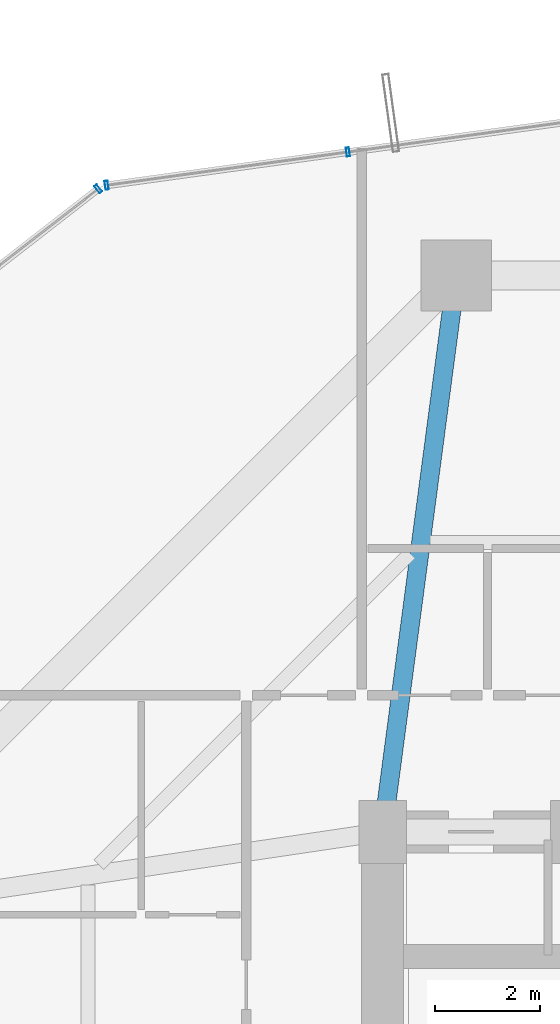
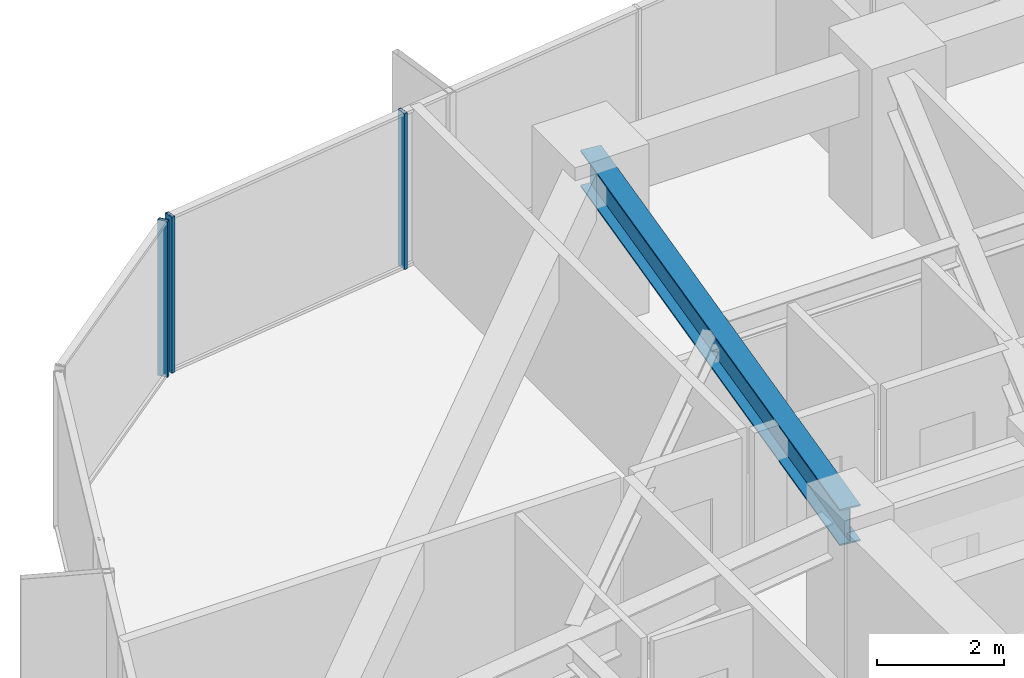
# One storey, part 23 of 37: 3 members, 1 beam, 2 elements without a shape of their own.
"""IFC4 building model written with IfcOpenShell, lengths in metres."""

import ifcopenshell
import ifcopenshell.guid

model = None  # the IFC model being written
_history = None  # IfcOwnerHistory: only IFC2X3 demands one
_inside = {}  # id of a spatial element -> (the spatial element, [elements in it])
_under = {}  # id of a project, library or spatial element -> (it, [spatial elements below it])
_declared = {}  # id of a project -> (the project, [libraries it declares])
_typed = {}  # id of a type object -> (the type object, [elements of that type])
_made_of = {}  # id of a material, layer set ... -> (it, [elements and type objects made of it])


def new_model(schema):
    """Start an empty IFC model of exactly this schema.

    Asked for "IFC4X3", IfcOpenShell would pick the latest addendum, in which some entities
    have other attributes; the version numbers below select the first issue.
    IFC2X3 requires an IfcOwnerHistory on every rooted entity: one is made here for all.
    """
    global model, _history
    if schema == "IFC4X3":
        model = ifcopenshell.file(schema_version=(4, 3, 0, 0))
    else:
        model = ifcopenshell.file(schema=schema)
    _inside.clear()
    _under.clear()
    _declared.clear()
    _typed.clear()
    _made_of.clear()
    _history = None
    if model.schema == "IFC2X3":
        org = make("IfcOrganization", Name="unknown")
        user = make(
            "IfcPersonAndOrganization",
            ThePerson=make("IfcPerson", FamilyName="unknown"),
            TheOrganization=org,
        )
        app = make(
            "IfcApplication",
            ApplicationDeveloper=org,
            Version="unknown",
            ApplicationFullName="unknown",
            ApplicationIdentifier="unknown",
        )
        _history = make(
            "IfcOwnerHistory",
            OwningUser=user,
            OwningApplication=app,
            ChangeAction="ADDED",
            CreationDate=0,
        )
    return model


def make(cls, **values):
    """One entity of the class cls with the attributes given. An attribute that is None is left unset."""
    return model.create_entity(
        cls, **{name: value for name, value in values.items() if value is not None}
    )


def rooted(cls, **values):
    """An entity with a GlobalId (a new one), such as an element, a storey or a relation."""
    return make(cls, GlobalId=ifcopenshell.guid.new(), OwnerHistory=_history, **values)


def si_unit(unit_type, name, prefix=None):
    """IfcSIUnit, for example si_unit("LENGTHUNIT", "METRE", prefix="MILLI")."""
    return make("IfcSIUnit", UnitType=unit_type, Prefix=prefix, Name=name)


def assignment(units):
    """IfcUnitAssignment: the units of a project."""
    return None if units is None else make("IfcUnitAssignment", Units=units)


def point(xyz):
    """IfcCartesianPoint."""
    return None if xyz is None else make("IfcCartesianPoint", Coordinates=xyz)


def direction(xyz):
    """IfcDirection."""
    return None if xyz is None else make("IfcDirection", DirectionRatios=xyz)


def frame(location, z_axis=None, x_axis=None):
    """IfcAxis2Placement3D, a coordinate frame: its origin and axes. An axis left out is left unset."""
    return make(
        "IfcAxis2Placement3D",
        Location=point(location),
        Axis=direction(z_axis),
        RefDirection=direction(x_axis),
    )


def frame_2d(location, x_axis=None):
    """IfcAxis2Placement2D, a coordinate frame in the plane: its origin and x axis."""
    return make(
        "IfcAxis2Placement2D", Location=point(location), RefDirection=direction(x_axis)
    )


def origin():
    """The frame at (0, 0, 0) with its axes left unset."""
    return frame((0.0, 0.0, 0.0))


def origin_2d():
    """The frame at (0, 0) in the plane with its x axis left unset."""
    return frame_2d((0.0, 0.0))


def place(relative_to, where):
    """IfcLocalPlacement: puts the frame where relative to a parent placement (None: the world)."""
    return make(
        "IfcLocalPlacement", PlacementRelTo=relative_to, RelativePlacement=where
    )


def context(
    kind, dimensions, precision=None, world=None, true_north=None, identifier=None
):
    """IfcGeometricRepresentationContext, for example the 3D "Model" context."""
    return make(
        "IfcGeometricRepresentationContext",
        ContextIdentifier=identifier,
        ContextType=kind,
        CoordinateSpaceDimension=dimensions,
        Precision=precision,
        WorldCoordinateSystem=world,
        TrueNorth=true_north,
    )


def subcontext(parent, identifier, kind, view, scale=None):
    """IfcGeometricRepresentationSubContext, for example "Body" below "Model"."""
    return make(
        "IfcGeometricRepresentationSubContext",
        ContextIdentifier=identifier,
        ContextType=kind,
        ParentContext=parent,
        TargetScale=scale,
        TargetView=view,
    )


def project(units=None, contexts=None):
    """IfcProject with its units and contexts."""
    return rooted(
        "IfcProject",
        Name="project",
        RepresentationContexts=contexts,
        UnitsInContext=assignment(units),
    )


def spatial(cls, under=None, at=None, **own):
    """A site, building, storey or space (cls), placed at a placement, below another one or the project."""
    s = rooted(cls, ObjectPlacement=at, **own)
    if under is not None:
        _under.setdefault(under.id(), (under, []))[1].append(s)
    return s


def profile(cls, at=None, kind="AREA", **sizes):
    """A parametric profile (cls). Its sizes go by their IFC names, for example OverallWidth=200.0."""
    return make(cls, ProfileType=kind, Position=at, **sizes)


def hollow_rectangle(**sizes):
    """IfcRectangleHollowProfileDef."""
    return profile("IfcRectangleHollowProfileDef", **sizes)


def i_section(**sizes):
    """IfcIShapeProfileDef."""
    return profile("IfcIShapeProfileDef", **sizes)


def extrude(swept, where, along, depth):
    """IfcExtrudedAreaSolid: the profile swept, set in the frame where, extruded along a direction by depth."""
    return make(
        "IfcExtrudedAreaSolid",
        SweptArea=swept,
        Position=where,
        ExtrudedDirection=direction(along),
        Depth=depth,
    )


def shape(context_of_items, identifier, shape_type, items):
    """IfcShapeRepresentation: the items that make up one representation, for example the "Body"."""
    return make(
        "IfcShapeRepresentation",
        ContextOfItems=context_of_items,
        RepresentationIdentifier=identifier,
        RepresentationType=shape_type,
        Items=items,
    )


def source(mapping_origin, context_of_items, identifier, shape_type, items):
    """IfcRepresentationMap: a shape defined once, which mapped items show again and again."""
    return make(
        "IfcRepresentationMap",
        MappingOrigin=mapping_origin,
        MappedRepresentation=shape(context_of_items, identifier, shape_type, items),
    )


def transform(
    local_origin,
    x_axis=None,
    y_axis=None,
    z_axis=None,
    scale=None,
    scale2=None,
    scale3=None,
    uniform=True,
):
    """IfcCartesianTransformationOperator3D, or its non-uniform kind. x_axis, y_axis, z_axis: its Axis1, 2, 3."""
    if uniform:
        return make(
            "IfcCartesianTransformationOperator3D",
            Axis1=direction(x_axis),
            Axis2=direction(y_axis),
            LocalOrigin=point(local_origin),
            Scale=scale,
            Axis3=direction(z_axis),
        )
    return make(
        "IfcCartesianTransformationOperator3DnonUniform",
        Axis1=direction(x_axis),
        Axis2=direction(y_axis),
        LocalOrigin=point(local_origin),
        Scale=scale,
        Axis3=direction(z_axis),
        Scale2=scale2,
        Scale3=scale3,
    )


def mapped(mapping_source, mapping_target):
    """IfcMappedItem: shows the shape of a source again, moved by a transform."""
    return make(
        "IfcMappedItem", MappingSource=mapping_source, MappingTarget=mapping_target
    )


def material(Name=None, Category=None):
    """IfcMaterial."""
    return make("IfcMaterial", Name=Name, Category=Category)


def layer(
    of_material, thickness, ventilated=None, Name=None, Category=None, Priority=None
):
    """IfcMaterialLayer: one layer of a wall or slab, of a material (None: an air gap)."""
    return make(
        "IfcMaterialLayer",
        Material=of_material,
        LayerThickness=thickness,
        IsVentilated=ventilated,
        Name=Name,
        Category=Category,
        Priority=Priority,
    )


def layer_set(layers, Name=None):
    """IfcMaterialLayerSet."""
    return make("IfcMaterialLayerSet", MaterialLayers=layers, LayerSetName=Name)


def material_profile(
    of_material, cross_section, Name=None, Category=None, Priority=None
):
    """IfcMaterialProfile: a cross section and its material."""
    return make(
        "IfcMaterialProfile",
        Name=Name,
        Material=of_material,
        Profile=cross_section,
        Priority=Priority,
        Category=Category,
    )


def profile_set(profiles, Name=None, composite=None):
    """IfcMaterialProfileSet."""
    return make(
        "IfcMaterialProfileSet",
        Name=Name,
        MaterialProfiles=profiles,
        CompositeProfile=composite,
    )


def made_of(thing, what):
    """Note that an element or type object is made of a material, layer set ...; save() writes the relation."""
    if what is not None:
        _made_of.setdefault(what.id(), (what, []))[1].append(thing)
    return thing


def type_object(cls, material=None, **own):
    """A type object (cls), such as IfcWallType, which elements share."""
    return made_of(rooted(cls, **own), material)


def element(
    cls,
    number,
    at=None,
    inside=None,
    cuts=None,
    type_object=None,
    material=None,
    context=None,
    identifier="Body",
    shape_type=None,
    held_by="IfcProductDefinitionShape",
    body=None,
    shapes=None,
    **own,
):
    """One element of the class cls, such as IfcWall. Its Tag is "e" and its number.

    at: its placement. inside: the storey or other place that contains it. cuts: it is an
    opening in that element (IfcRelVoidsElement). A single representation is given by context,
    identifier, shape_type and body (its items); several are given by shapes. held_by: the class
    of the entity that holds the representations. save() writes the other relations.
    """
    e = rooted(cls, Tag="e%d" % number, ObjectPlacement=at, **own)
    if body is not None:
        shapes = [shape(context, identifier, shape_type, body)]
    if shapes is not None:
        e.Representation = make(held_by, Representations=shapes)
    if inside is not None:
        _inside.setdefault(inside.id(), (inside, []))[1].append(e)
    if cuts is not None:
        rooted(
            "IfcRelVoidsElement", RelatingBuildingElement=cuts, RelatedOpeningElement=e
        )
    if type_object is not None:
        _typed.setdefault(type_object.id(), (type_object, []))[1].append(e)
    return made_of(e, material)


def aggregate(whole, parts):
    """IfcRelAggregates: a whole, such as a stair, and the parts it consists of."""
    return rooted("IfcRelAggregates", RelatingObject=whole, RelatedObjects=parts)


def save(model, path):
    """Write the relations noted so far, then the file.

    IfcRelAggregates (storeys below a building ...), IfcRelContainedInSpatialStructure (elements
    in a storey), IfcRelDefinesByType, IfcRelAssociatesMaterial and IfcRelDeclares: one each for
    every whole, place, type object, material and project.
    """
    for whole, parts in _under.values():
        aggregate(whole, parts)
    for where, things in _inside.values():
        rooted(
            "IfcRelContainedInSpatialStructure",
            RelatedElements=things,
            RelatingStructure=where,
        )
    for kind, things in _typed.values():
        rooted("IfcRelDefinesByType", RelatedObjects=things, RelatingType=kind)
    for what, things in _made_of.values():
        rooted("IfcRelAssociatesMaterial", RelatedObjects=things, RelatingMaterial=what)
    for by, libraries in _declared.values():
        rooted("IfcRelDeclares", RelatingContext=by, RelatedDefinitions=libraries)
    model.write(path)


model = new_model("IFC4")

# Units and contexts
model_context = context("Model", 3, precision=1e-05, world=origin(), true_north=direction((0.0, 1.0)))
body_context = subcontext(model_context, "Body", "Model", "MODEL_VIEW")
ifc_project = project(units=[si_unit("LENGTHUNIT", "METRE"), si_unit("AREAUNIT", "SQUARE_METRE"), si_unit("VOLUMEUNIT", "CUBIC_METRE"), si_unit("PLANEANGLEUNIT", "RADIAN"), si_unit("MASSUNIT", "GRAM", prefix="KILO")], contexts=[model_context])

# Site, building, storey
site_placement = place(None, origin())
site = spatial("IfcSite", under=ifc_project, at=site_placement, CompositionType="ELEMENT")
building_placement = place(site_placement, origin())
building = spatial("IfcBuilding", under=site, at=building_placement, Name="Veraguas Prism Commons", CompositionType="ELEMENT")
storey_placement = place(building_placement, frame((0.0, 0.0, 50.050048828125)))
storey = spatial("IfcBuildingStorey", under=building, at=storey_placement, Name="L13", CompositionType="ELEMENT", Elevation=50.050048828125)

# Beam
ifc_material_1 = material(Name="Steel ASTM A992 Grade 50", Category="steel")
ifc_material_profile_1 = material_profile(ifc_material_1, i_section(OverallWidth=0.35595703125, OverallDepth=0.700927734375, WebThickness=0.016845703125, FlangeThickness=0.02734375, at=origin_2d()), Name="W690X240")
ifc_profile_set_1 = profile_set([ifc_material_profile_1], Name="Steel ASTM A992 Grade 50")
beam_type = type_object("IfcBeamType", Name="Zone 1 Radial Girder W690x240", PredefinedType="BEAM", material=ifc_profile_set_1)
beam_placement = place(storey_placement, frame((18.60009765625, 41.60009765625, 2.6494140625), z_axis=(-0.130950648891, -0.991388888154, 0.0), x_axis=(0.991388888154, -0.130950648891, 0.0)))
element("IfcBeam", 1, at=beam_placement, inside=storey, type_object=beam_type, Name="Radial Floor Girder L13-RD06", PredefinedType="BEAM", context=body_context, shape_type="SweptSolid", body=[
    extrude(i_section(OverallWidth=0.35595703125, OverallDepth=0.700927734375, WebThickness=0.016845703125, FlangeThickness=0.02734375, at=origin_2d()), origin(), (0.0, 0.0, 1.0), 10.692138671875),
])

# Curtain wall, members
ifc_material_2 = material(Name="Anodised aluminium EN AW-6063 T6", Category="aluminium")
ifc_layer = layer(ifc_material_2, 0.169921875, Name="Unitised Flush Curtain Wall Zone 1", Category="aluminium")
ifc_layer_set = layer_set([ifc_layer], Name="Anodised aluminium EN AW-6063 T6")
curtain_wall_type = type_object("IfcCurtainWallType", Name="Unitised Flush Curtain Wall Zone 1", PredefinedType="NOTDEFINED", material=ifc_layer_set)
curtain_wall_1_placement = place(storey_placement, origin())
curtain_wall_1 = element("IfcCurtainWall", 2, at=curtain_wall_1_placement, inside=storey, type_object=curtain_wall_type, Name="Tower Facade Curtain Wall L13-F2", PredefinedType="NOTDEFINED")
ifc_material_profile_2 = material_profile(ifc_material_2, hollow_rectangle(XDim=0.06005859375, YDim=0.169921875, WallThickness=0.00390625, at=origin_2d()), Name="AL60X170X4")
ifc_profile_set_2 = profile_set([ifc_material_profile_2], Name="Anodised aluminium EN AW-6063 T6")
member_type = type_object("IfcMemberType", Name="Curtain Wall Mullion Lower AL 60x170x4", PredefinedType="MULLION", material=ifc_profile_set_2)
shared_shape = source(origin(), body_context, "Body", "SweptSolid", [
    extrude(hollow_rectangle(XDim=0.06005859375, YDim=0.169921875, WallThickness=0.00390625, at=origin_2d()), origin(), (0.0, 0.0, 1.0), 3.0),
])
member_1_placement = place(storey_placement, frame((16.53759765625, 43.953125, 0.0), z_axis=(0.0, 0.0, 1.0), x_axis=(-0.99065308977, -0.136405482764, 0.0)))
member_1 = element("IfcMember", 3, at=member_1_placement, type_object=member_type, Name="CW-Z1 Mullion 4", PredefinedType="MULLION", context=body_context, shape_type="MappedRepresentation", body=[
    mapped(shared_shape, transform((0.0, 0.0, 0.0), scale=1.0)),
])
member_2_placement = place(storey_placement, frame((11.93994140625, 43.320068359375, 0.0), z_axis=(0.0, 0.0, 1.0), x_axis=(-0.99065308977, -0.136405482764, 0.0)))
member_2 = element("IfcMember", 4, at=member_2_placement, type_object=member_type, Name="CW-Z1 Mullion 5", PredefinedType="MULLION", context=body_context, shape_type="MappedRepresentation", body=[
    mapped(shared_shape, transform((0.0, 0.0, 0.0), scale=1.0)),
])
aggregate(curtain_wall_1, [member_1, member_2])

# Curtain wall, member
curtain_wall_2_placement = place(storey_placement, origin())
curtain_wall_2 = element("IfcCurtainWall", 5, at=curtain_wall_2_placement, inside=storey, type_object=curtain_wall_type, Name="Chamfer Curtain Wall L13-C3", PredefinedType="NOTDEFINED")
member_3_placement = place(storey_placement, frame((11.77978515625, 43.252685546875, 0.0), z_axis=(0.0, 0.0, 1.0), x_axis=(-0.789732283416, -0.613451644818, 0.0)))
member_3 = element("IfcMember", 6, at=member_3_placement, type_object=member_type, Name="CW-Z1 Mullion 1", PredefinedType="MULLION", context=body_context, shape_type="MappedRepresentation", body=[
    mapped(shared_shape, transform((0.0, 0.0, 0.0), scale=1.0)),
])
aggregate(curtain_wall_2, [member_3])

save(model, "model.ifc")
